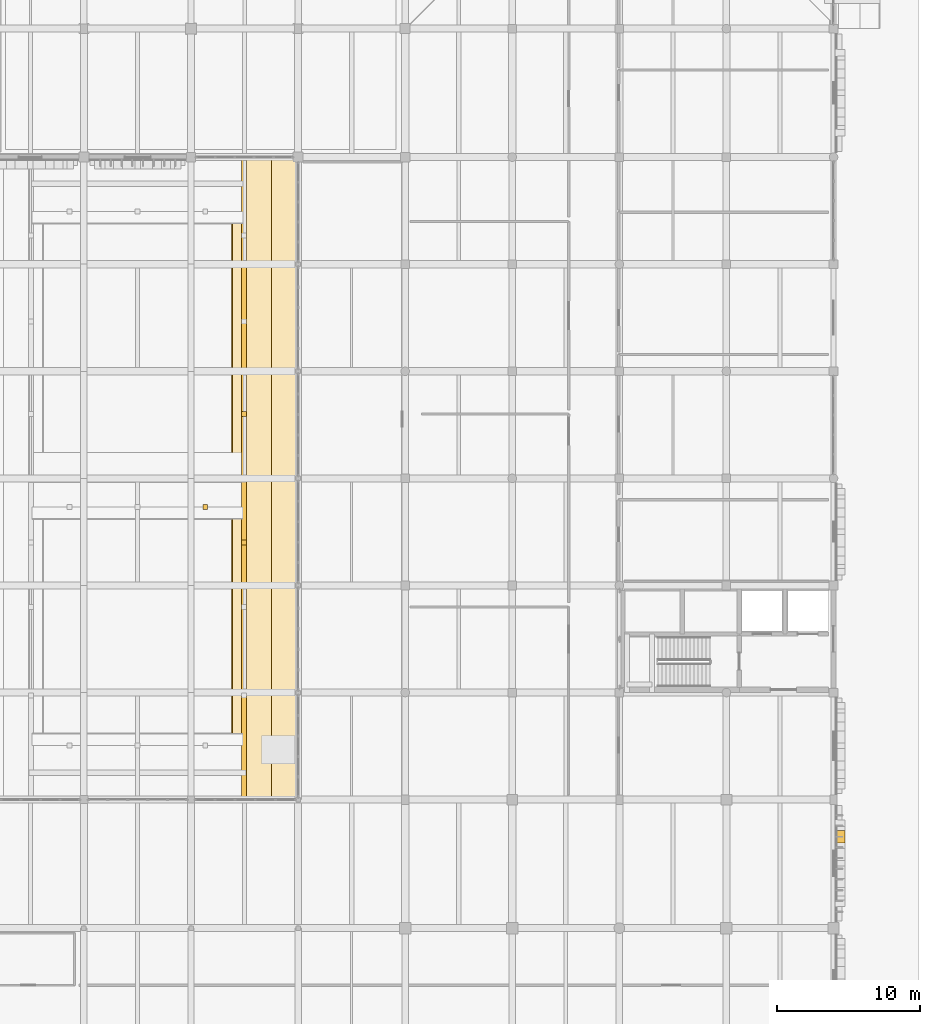
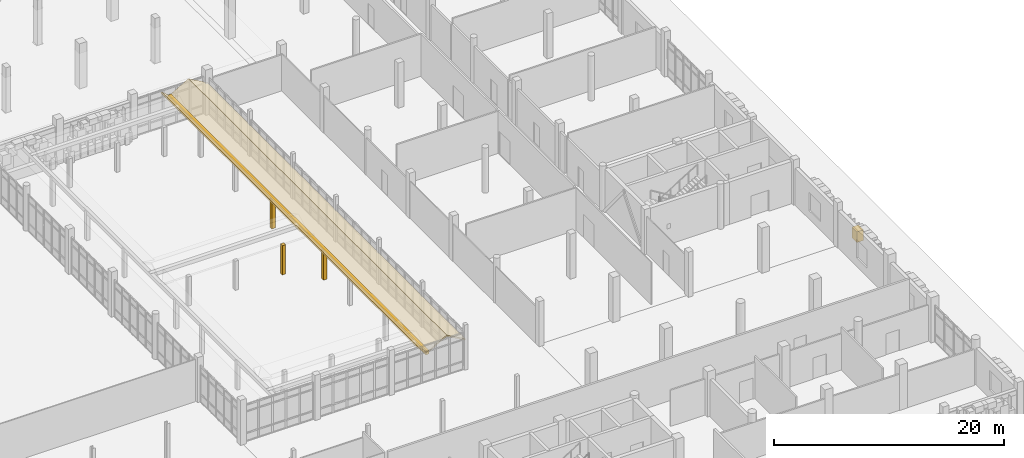
# One storey, part 120 of 125: 8 coverings.
"""IFC4 building model written with IfcOpenShell, lengths in metres."""

import ifcopenshell
import ifcopenshell.guid

model = None  # the IFC model being written
_history = None  # IfcOwnerHistory: only IFC2X3 demands one
_inside = {}  # id of a spatial element -> (the spatial element, [elements in it])
_under = {}  # id of a project, library or spatial element -> (it, [spatial elements below it])
_declared = {}  # id of a project -> (the project, [libraries it declares])
_typed = {}  # id of a type object -> (the type object, [elements of that type])
_made_of = {}  # id of a material, layer set ... -> (it, [elements and type objects made of it])


def new_model(schema):
    """Start an empty IFC model of exactly this schema.

    Asked for "IFC4X3", IfcOpenShell would pick the latest addendum, in which some entities
    have other attributes; the version numbers below select the first issue.
    IFC2X3 requires an IfcOwnerHistory on every rooted entity: one is made here for all.
    """
    global model, _history
    if schema == "IFC4X3":
        model = ifcopenshell.file(schema_version=(4, 3, 0, 0))
    else:
        model = ifcopenshell.file(schema=schema)
    _inside.clear()
    _under.clear()
    _declared.clear()
    _typed.clear()
    _made_of.clear()
    _history = None
    if model.schema == "IFC2X3":
        org = make("IfcOrganization", Name="unknown")
        user = make(
            "IfcPersonAndOrganization",
            ThePerson=make("IfcPerson", FamilyName="unknown"),
            TheOrganization=org,
        )
        app = make(
            "IfcApplication",
            ApplicationDeveloper=org,
            Version="unknown",
            ApplicationFullName="unknown",
            ApplicationIdentifier="unknown",
        )
        _history = make(
            "IfcOwnerHistory",
            OwningUser=user,
            OwningApplication=app,
            ChangeAction="ADDED",
            CreationDate=0,
        )
    return model


def make(cls, **values):
    """One entity of the class cls with the attributes given. An attribute that is None is left unset."""
    return model.create_entity(
        cls, **{name: value for name, value in values.items() if value is not None}
    )


def rooted(cls, **values):
    """An entity with a GlobalId (a new one), such as an element, a storey or a relation."""
    return make(cls, GlobalId=ifcopenshell.guid.new(), OwnerHistory=_history, **values)


def si_unit(unit_type, name, prefix=None):
    """IfcSIUnit, for example si_unit("LENGTHUNIT", "METRE", prefix="MILLI")."""
    return make("IfcSIUnit", UnitType=unit_type, Prefix=prefix, Name=name)


def assignment(units):
    """IfcUnitAssignment: the units of a project."""
    return None if units is None else make("IfcUnitAssignment", Units=units)


def point(xyz):
    """IfcCartesianPoint."""
    return None if xyz is None else make("IfcCartesianPoint", Coordinates=xyz)


def direction(xyz):
    """IfcDirection."""
    return None if xyz is None else make("IfcDirection", DirectionRatios=xyz)


def frame(location, z_axis=None, x_axis=None):
    """IfcAxis2Placement3D, a coordinate frame: its origin and axes. An axis left out is left unset."""
    return make(
        "IfcAxis2Placement3D",
        Location=point(location),
        Axis=direction(z_axis),
        RefDirection=direction(x_axis),
    )


def frame_2d(location, x_axis=None):
    """IfcAxis2Placement2D, a coordinate frame in the plane: its origin and x axis."""
    return make(
        "IfcAxis2Placement2D", Location=point(location), RefDirection=direction(x_axis)
    )


def origin():
    """The frame at (0, 0, 0) with its axes left unset."""
    return frame((0.0, 0.0, 0.0))


def origin_2d():
    """The frame at (0, 0) in the plane with its x axis left unset."""
    return frame_2d((0.0, 0.0))


def place(relative_to, where):
    """IfcLocalPlacement: puts the frame where relative to a parent placement (None: the world)."""
    return make(
        "IfcLocalPlacement", PlacementRelTo=relative_to, RelativePlacement=where
    )


def context(
    kind, dimensions, precision=None, world=None, true_north=None, identifier=None
):
    """IfcGeometricRepresentationContext, for example the 3D "Model" context."""
    return make(
        "IfcGeometricRepresentationContext",
        ContextIdentifier=identifier,
        ContextType=kind,
        CoordinateSpaceDimension=dimensions,
        Precision=precision,
        WorldCoordinateSystem=world,
        TrueNorth=true_north,
    )


def subcontext(parent, identifier, kind, view, scale=None):
    """IfcGeometricRepresentationSubContext, for example "Body" below "Model"."""
    return make(
        "IfcGeometricRepresentationSubContext",
        ContextIdentifier=identifier,
        ContextType=kind,
        ParentContext=parent,
        TargetScale=scale,
        TargetView=view,
    )


def project(units=None, contexts=None):
    """IfcProject with its units and contexts."""
    return rooted(
        "IfcProject",
        Name="project",
        RepresentationContexts=contexts,
        UnitsInContext=assignment(units),
    )


def spatial(cls, under=None, at=None, **own):
    """A site, building, storey or space (cls), placed at a placement, below another one or the project."""
    s = rooted(cls, ObjectPlacement=at, **own)
    if under is not None:
        _under.setdefault(under.id(), (under, []))[1].append(s)
    return s


def polyline(points):
    """IfcPolyline through the points."""
    return make("IfcPolyline", Points=[point(p) for p in points])


def profile(cls, at=None, kind="AREA", **sizes):
    """A parametric profile (cls). Its sizes go by their IFC names, for example OverallWidth=200.0."""
    return make(cls, ProfileType=kind, Position=at, **sizes)


def rectangle(**sizes):
    """IfcRectangleProfileDef."""
    return profile("IfcRectangleProfileDef", **sizes)


def outline(outer, holes=None, kind="AREA"):
    """IfcArbitraryClosedProfileDef: a profile drawn as a closed curve; with holes, ...WithVoids."""
    if holes is None:
        return make("IfcArbitraryClosedProfileDef", ProfileType=kind, OuterCurve=outer)
    return make(
        "IfcArbitraryProfileDefWithVoids",
        ProfileType=kind,
        OuterCurve=outer,
        InnerCurves=holes,
    )


def extrude(swept, where, along, depth):
    """IfcExtrudedAreaSolid: the profile swept, set in the frame where, extruded along a direction by depth."""
    return make(
        "IfcExtrudedAreaSolid",
        SweptArea=swept,
        Position=where,
        ExtrudedDirection=direction(along),
        Depth=depth,
    )


def shape(context_of_items, identifier, shape_type, items):
    """IfcShapeRepresentation: the items that make up one representation, for example the "Body"."""
    return make(
        "IfcShapeRepresentation",
        ContextOfItems=context_of_items,
        RepresentationIdentifier=identifier,
        RepresentationType=shape_type,
        Items=items,
    )


def material(Name=None, Category=None):
    """IfcMaterial."""
    return make("IfcMaterial", Name=Name, Category=Category)


def layer(
    of_material, thickness, ventilated=None, Name=None, Category=None, Priority=None
):
    """IfcMaterialLayer: one layer of a wall or slab, of a material (None: an air gap)."""
    return make(
        "IfcMaterialLayer",
        Material=of_material,
        LayerThickness=thickness,
        IsVentilated=ventilated,
        Name=Name,
        Category=Category,
        Priority=Priority,
    )


def layer_set(layers, Name=None):
    """IfcMaterialLayerSet."""
    return make("IfcMaterialLayerSet", MaterialLayers=layers, LayerSetName=Name)


def made_of(thing, what):
    """Note that an element or type object is made of a material, layer set ...; save() writes the relation."""
    if what is not None:
        _made_of.setdefault(what.id(), (what, []))[1].append(thing)
    return thing


def type_object(cls, material=None, **own):
    """A type object (cls), such as IfcWallType, which elements share."""
    return made_of(rooted(cls, **own), material)


def element(
    cls,
    number,
    at=None,
    inside=None,
    cuts=None,
    type_object=None,
    material=None,
    context=None,
    identifier="Body",
    shape_type=None,
    held_by="IfcProductDefinitionShape",
    body=None,
    shapes=None,
    **own,
):
    """One element of the class cls, such as IfcWall. Its Tag is "e" and its number.

    at: its placement. inside: the storey or other place that contains it. cuts: it is an
    opening in that element (IfcRelVoidsElement). A single representation is given by context,
    identifier, shape_type and body (its items); several are given by shapes. held_by: the class
    of the entity that holds the representations. save() writes the other relations.
    """
    e = rooted(cls, Tag="e%d" % number, ObjectPlacement=at, **own)
    if body is not None:
        shapes = [shape(context, identifier, shape_type, body)]
    if shapes is not None:
        e.Representation = make(held_by, Representations=shapes)
    if inside is not None:
        _inside.setdefault(inside.id(), (inside, []))[1].append(e)
    if cuts is not None:
        rooted(
            "IfcRelVoidsElement", RelatingBuildingElement=cuts, RelatedOpeningElement=e
        )
    if type_object is not None:
        _typed.setdefault(type_object.id(), (type_object, []))[1].append(e)
    return made_of(e, material)


def aggregate(whole, parts):
    """IfcRelAggregates: a whole, such as a stair, and the parts it consists of."""
    return rooted("IfcRelAggregates", RelatingObject=whole, RelatedObjects=parts)


def save(model, path):
    """Write the relations noted so far, then the file.

    IfcRelAggregates (storeys below a building ...), IfcRelContainedInSpatialStructure (elements
    in a storey), IfcRelDefinesByType, IfcRelAssociatesMaterial and IfcRelDeclares: one each for
    every whole, place, type object, material and project.
    """
    for whole, parts in _under.values():
        aggregate(whole, parts)
    for where, things in _inside.values():
        rooted(
            "IfcRelContainedInSpatialStructure",
            RelatedElements=things,
            RelatingStructure=where,
        )
    for kind, things in _typed.values():
        rooted("IfcRelDefinesByType", RelatedObjects=things, RelatingType=kind)
    for what, things in _made_of.values():
        rooted("IfcRelAssociatesMaterial", RelatedObjects=things, RelatingMaterial=what)
    for by, libraries in _declared.values():
        rooted("IfcRelDeclares", RelatingContext=by, RelatedDefinitions=libraries)
    model.write(path)


model = new_model("IFC4")

# Units and contexts
model_context = context("Model", 3, precision=1e-05, world=origin(), true_north=direction((0.0, 1.0)))
body_context = subcontext(model_context, "Body", "Model", "MODEL_VIEW")
ifc_project = project(units=[si_unit("LENGTHUNIT", "METRE"), si_unit("AREAUNIT", "SQUARE_METRE"), si_unit("VOLUMEUNIT", "CUBIC_METRE"), si_unit("PLANEANGLEUNIT", "RADIAN"), si_unit("MASSUNIT", "GRAM", prefix="KILO")], contexts=[model_context])

# Site, building, storey
site_placement = place(None, origin())
site = spatial("IfcSite", under=ifc_project, at=site_placement, CompositionType="ELEMENT")
building_placement = place(site_placement, origin())
building = spatial("IfcBuilding", under=site, at=building_placement, Name="Dalvernix Boulevard General Hospital", CompositionType="ELEMENT")
storey_placement = place(building_placement, origin())
storey = spatial("IfcBuildingStorey", under=building, at=storey_placement, Name="L00", CompositionType="ELEMENT", Elevation=0.0)

# Coverings
ifc_material_1 = material(Name="Pressed Catalan clay brick and dressed limestone parabolic archivolt", Category="masonry")
ifc_layer_1 = layer(ifc_material_1, 0.419921875)
ifc_layer_set_1 = layer_set([ifc_layer_1], Name="Pressed Catalan clay brick and dressed limestone parabolic archivolt (COV-ARC-01)")
covering_type_1 = type_object("IfcCoveringType", Name="COV-ARC-01", PredefinedType="CLADDING", material=ifc_layer_set_1)
covering_1_placement = place(storey_placement, frame((172.985107421875, 28.904296875, 2.07958984375), z_axis=(0.0, 0.0, 1.0), x_axis=(0.0, -1.0, 0.0)))
element("IfcCovering", 1, at=covering_1_placement, inside=storey, type_object=covering_type_1, Name="L00 Catalan parabolic archivolt voussoir E 23-3-2", PredefinedType="CLADDING", context=body_context, shape_type="SweptSolid", body=[
    extrude(rectangle(XDim=0.8623046875, YDim=0.659912109375, at=origin_2d()), origin(), (0.0, 0.0, 1.0), 1.144287109375),
])
ifc_material_2 = material(Name="Preservative-treated glulam GL28h cloister walkway post, beam and roof", Category="wood")
ifc_layer_2 = layer(ifc_material_2, 0.340087890625)
ifc_layer_set_2 = layer_set([ifc_layer_2], Name="Preservative-treated glulam GL28h cloister walkway post, beam and roof (COV-WKP-01)")
covering_type_2 = type_object("IfcCoveringType", Name="COV-WKP-01", PredefinedType="CLADDING", material=ifc_layer_set_2)
covering_2_placement = place(storey_placement, frame((131.199951171875, 54.0, 2.860107421875), z_axis=(0.0, 0.0, 1.0), x_axis=(1.0, 0.0, 0.0)))
element("IfcCovering", 2, at=covering_2_placement, inside=storey, type_object=covering_type_2, Name="ECOURT covered timber walkway eaves beam E", PredefinedType="CLADDING", context=body_context, shape_type="SweptSolid", body=[
    extrude(rectangle(XDim=0.340087890625, YDim=45.0, at=origin_2d()), origin(), (0.0, 0.0, 1.0), 0.3798828125),
])
for number, where, z_axis, x_axis, name in (
    (3, (131.199951171875, 49.5, 0.0), (0.0, 0.0, 1.0), (1.0, 0.0, 0.0), "ECOURT covered timber walkway post E-3"),
    (4, (131.199951171875, 58.5, 0.0), (0.0, 0.0, 1.0), (1.0, 0.0, 0.0), "ECOURT covered timber walkway post E-4"),
):
    element("IfcCovering", number, at=place(storey_placement, frame(where, z_axis=z_axis, x_axis=x_axis)), inside=storey, type_object=covering_type_2, Name=name, PredefinedType="CLADDING", context=body_context, shape_type="SweptSolid", body=[
        extrude(rectangle(XDim=0.340087890625, YDim=0.340087890625, at=origin_2d()), origin(), (0.0, 0.0, 1.0), 3.10009765625),
    ])
for number, where, z_axis, x_axis, name in (
    (5, (131.199951171875, 31.5, 3.14990234375), (-0.496162654506, 0.0, 0.86822958961), (0.86822958961, 0.0, 0.496162654506), "ECOURT covered timber walkway pitched roof E-1"),
    (6, (133.125, 31.5, 4.25), (0.496162654506, 0.0, 0.86822958961), (0.86822958961, 0.0, -0.496162654506), "ECOURT covered timber walkway pitched roof E-2"),
):
    element("IfcCovering", number, at=place(storey_placement, frame(where, z_axis=z_axis, x_axis=x_axis)), inside=storey, type_object=covering_type_2, Name=name, PredefinedType="CLADDING", context=body_context, shape_type="SweptSolid", body=[
        extrude(outline(polyline([(0.0, 0.0), (2.2172117273621343, 0.0), (2.2172117273621343, 45.0), (0.0, 45.0), (0.0, 0.0)])), origin(), (0.0, 0.0, -1.0), 0.1298828125),
    ])
covering_3_placement = place(storey_placement, frame((131.199951171875, 31.5, 3.14990234375), z_axis=(0.630655032425, 0.0, 0.776063289995), x_axis=(-0.776063289995, 0.0, 0.630655032425)))
element("IfcCovering", 7, at=covering_3_placement, inside=storey, type_object=covering_type_2, Name="ECOURT covered timber walkway pitched roof E-3", PredefinedType="CLADDING", context=body_context, shape_type="SweptSolid", body=[
    extrude(outline(polyline([(0.0, 0.0), (1.0309066778954137, 0.0), (1.0309066778954137, -45.0), (0.0, -45.0), (0.0, 0.0)])), origin(), (0.0, 0.0, -1.0), 0.1298828125),
])
covering_4_placement = place(storey_placement, frame((128.5, 52.0, 0.0), z_axis=(0.0, 0.0, 1.0), x_axis=(1.0, 0.0, 0.0)))
element("IfcCovering", 8, at=covering_4_placement, inside=storey, type_object=covering_type_2, Name="ECOURT covered timber walkway post MID-3", PredefinedType="CLADDING", context=body_context, shape_type="SweptSolid", body=[
    extrude(rectangle(XDim=0.340087890625, YDim=0.340087890625, at=origin_2d()), origin(), (0.0, 0.0, 1.0), 3.10009765625),
])

save(model, "model.ifc")
